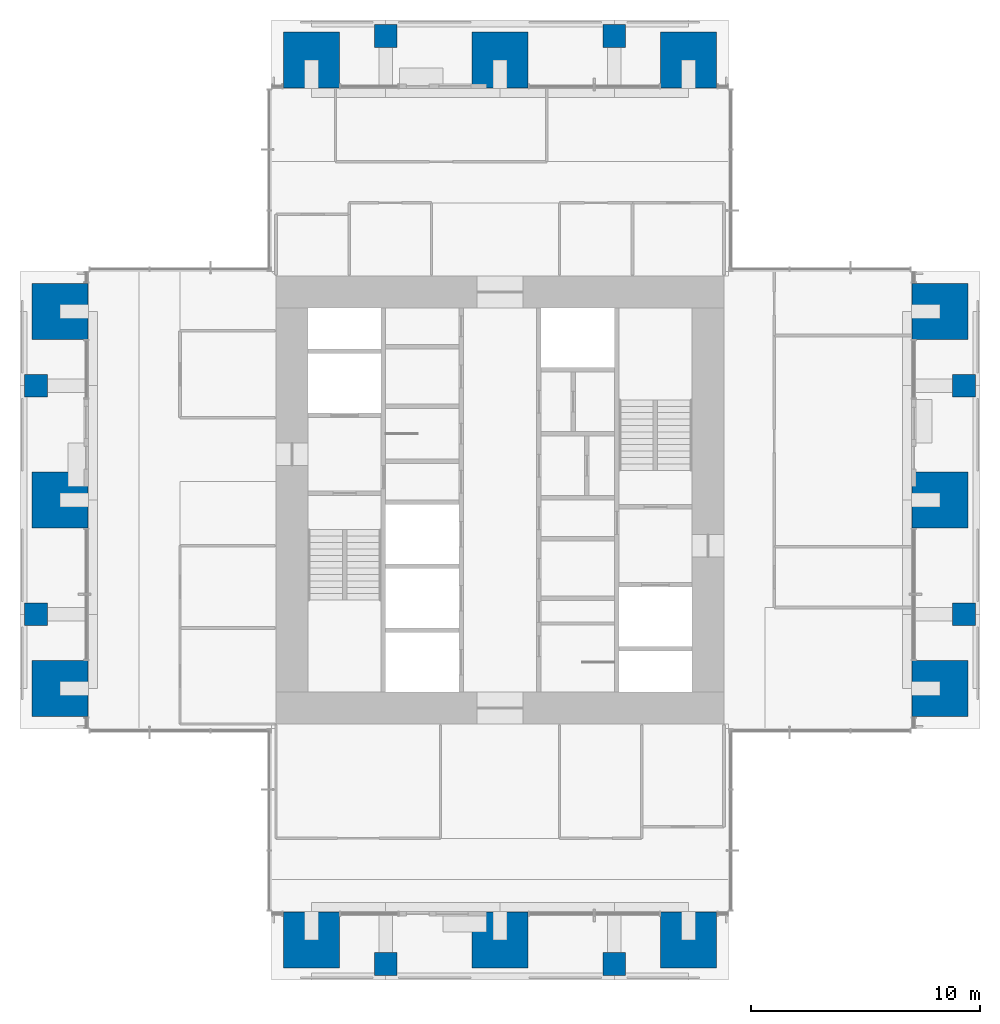
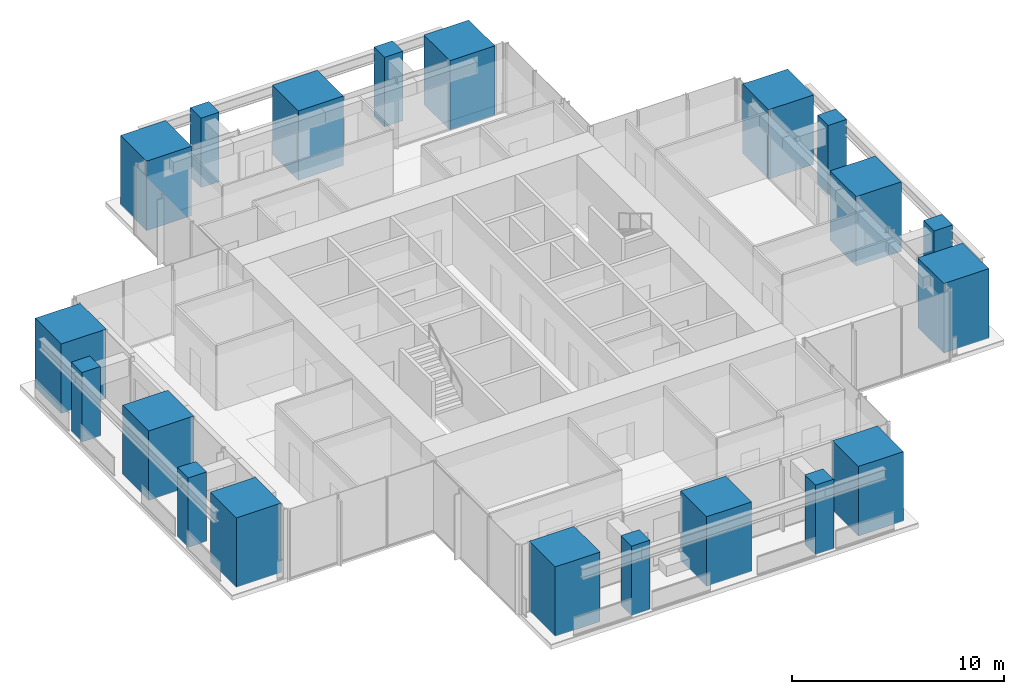
# One storey, part 1 of 17: 20 columns.
"""IFC4 building model written with IfcOpenShell, lengths in metres."""

from ifc_helpers import new_model, si_unit, direction, frame, origin, origin_2d, place, context, subcontext, project, spatial, rectangle, extrude, material, material_profile, profile_set, type_object, element, save


model = new_model("IFC4")

# Units and contexts
model_context = context("Model", 3, precision=1e-05, world=origin(), true_north=direction((0.0, 1.0)))
body_context = subcontext(model_context, "Body", "Model", "MODEL_VIEW")
ifc_project = project(units=[si_unit("LENGTHUNIT", "METRE"), si_unit("AREAUNIT", "SQUARE_METRE"), si_unit("VOLUMEUNIT", "CUBIC_METRE"), si_unit("PLANEANGLEUNIT", "RADIAN"), si_unit("MASSUNIT", "GRAM", prefix="KILO")], contexts=[model_context])

# Site, building, storey
site_placement = place(None, origin())
site = spatial("IfcSite", under=ifc_project, at=site_placement, CompositionType="ELEMENT")
building_placement = place(site_placement, origin())
building = spatial("IfcBuilding", under=site, at=building_placement, Name="Svetlomir Tower", CompositionType="ELEMENT")
storey_placement = place(building_placement, frame((0.0, 0.0, 182.5)))
storey = spatial("IfcBuildingStorey", under=building, at=storey_placement, Name="L43", CompositionType="ELEMENT", Elevation=182.5)

# Columns
ifc_material_1 = material(Name="Concrete C60/75", Category="concrete")
ifc_material_profile_1 = material_profile(ifc_material_1, rectangle(XDim=1.0, YDim=1.0, at=origin_2d()), Name="RC 1000x1000")
ifc_profile_set_1 = profile_set([ifc_material_profile_1], Name="Concrete C60/75")
column_type_1 = type_object("IfcColumnType", Name="COLUMN RC 1000x1000", PredefinedType="COLUMN", material=ifc_profile_set_1)
for number, where, z_axis, x_axis, name in (
    (1, (16.0, 0.699951171875, 0.0), (0.0, 0.0, 1.0), (1.0, 0.0, 0.0), "Column 16/0 L43"),
    (2, (26.0, 0.699951171875, 0.0), (0.0, 0.0, 1.0), (1.0, 0.0, 0.0), "Column 26/0 L43"),
    (3, (0.699951171875, 16.0, 0.0), (0.0, 0.0, 1.0), (1.0, 0.0, 0.0), "Column 0/16 L43"),
    (4, (41.300048828125, 16.0, 0.0), (0.0, 0.0, 1.0), (1.0, 0.0, 0.0), "Column 42/16 L43"),
    (5, (0.699951171875, 26.0, 0.0), (0.0, 0.0, 1.0), (1.0, 0.0, 0.0), "Column 0/26 L43"),
    (6, (41.300048828125, 26.0, 0.0), (0.0, 0.0, 1.0), (1.0, 0.0, 0.0), "Column 42/26 L43"),
    (7, (16.0, 41.300048828125, 0.0), (0.0, 0.0, 1.0), (1.0, 0.0, 0.0), "Column 16/42 L43"),
    (8, (26.0, 41.300048828125, 0.0), (0.0, 0.0, 1.0), (1.0, 0.0, 0.0), "Column 26/42 L43"),
):
    element("IfcColumn", number, at=place(storey_placement, frame(where, z_axis=z_axis, x_axis=x_axis)), inside=storey, type_object=column_type_1, Name=name, PredefinedType="COLUMN", context=body_context, shape_type="SweptSolid", body=[
        extrude(rectangle(XDim=1.0, YDim=1.0, at=origin_2d()), origin(), (0.0, 0.0, 1.0), 4.0),
    ])
ifc_material_2 = material(Name="Concrete C60/75", Category="concrete")
ifc_material_profile_2 = material_profile(ifc_material_2, rectangle(XDim=2.449951171875, YDim=2.449951171875, at=origin_2d()), Name="RC 2450x2450")
ifc_profile_set_2 = profile_set([ifc_material_profile_2], Name="Concrete C60/75")
column_type_2 = type_object("IfcColumnType", Name="COLUMN RC 2450x2450", PredefinedType="COLUMN", material=ifc_profile_set_2)
for number, where, z_axis, x_axis, name in (
    (9, (12.75, 1.75, 0.0), (0.0, 0.0, 1.0), (1.0, 0.0, 0.0), "Column 11/0 L43"),
    (10, (21.0, 1.75, 0.0), (0.0, 0.0, 1.0), (1.0, 0.0, 0.0), "Column 21/0 L43"),
    (11, (29.25, 1.75, 0.0), (0.0, 0.0, 1.0), (1.0, 0.0, 0.0), "Column 31/0 L43"),
    (12, (1.75, 12.75, 0.0), (0.0, 0.0, 1.0), (1.0, 0.0, 0.0), "Column 0/11 L43"),
    (13, (40.25, 12.75, 0.0), (0.0, 0.0, 1.0), (1.0, 0.0, 0.0), "Column 42/11 L43"),
    (14, (1.75, 21.0, 0.0), (0.0, 0.0, 1.0), (1.0, 0.0, 0.0), "Column 0/21 L43"),
    (15, (40.25, 21.0, 0.0), (0.0, 0.0, 1.0), (1.0, 0.0, 0.0), "Column 42/21 L43"),
    (16, (1.75, 29.25, 0.0), (0.0, 0.0, 1.0), (1.0, 0.0, 0.0), "Column 0/31 L43"),
    (17, (40.25, 29.25, 0.0), (0.0, 0.0, 1.0), (1.0, 0.0, 0.0), "Column 42/31 L43"),
    (18, (12.75, 40.25, 0.0), (0.0, 0.0, 1.0), (1.0, 0.0, 0.0), "Column 11/42 L43"),
    (19, (21.0, 40.25, 0.0), (0.0, 0.0, 1.0), (1.0, 0.0, 0.0), "Column 21/42 L43"),
    (20, (29.25, 40.25, 0.0), (0.0, 0.0, 1.0), (1.0, 0.0, 0.0), "Column 31/42 L43"),
):
    element("IfcColumn", number, at=place(storey_placement, frame(where, z_axis=z_axis, x_axis=x_axis)), inside=storey, type_object=column_type_2, Name=name, PredefinedType="COLUMN", context=body_context, shape_type="SweptSolid", body=[
        extrude(rectangle(XDim=2.449951171875, YDim=2.449951171875, at=origin_2d()), origin(), (0.0, 0.0, 1.0), 4.0),
    ])

save(model, "model.ifc")
